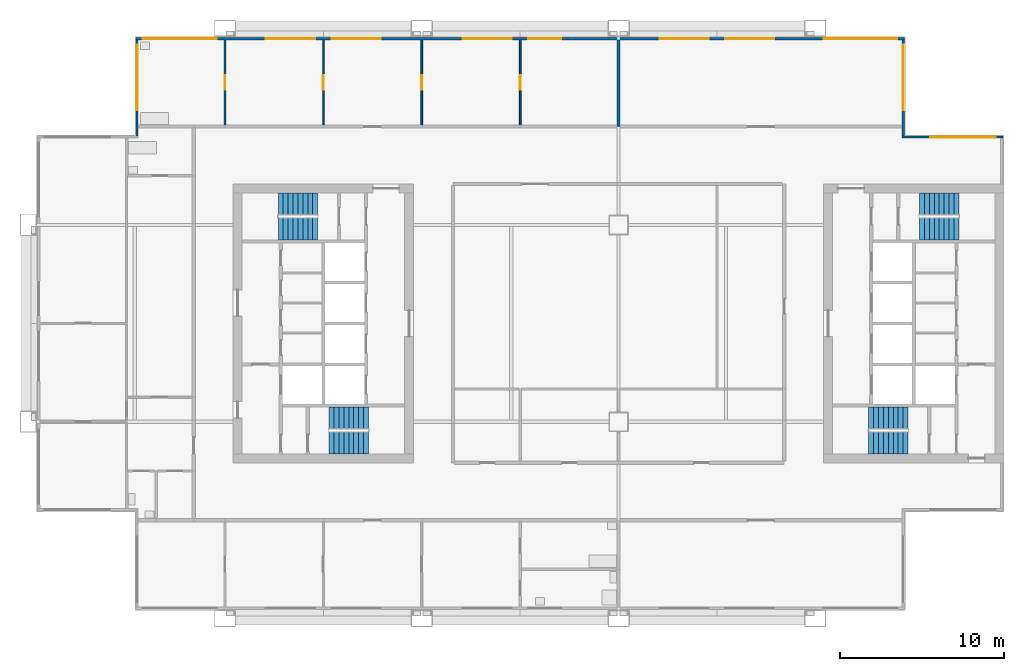
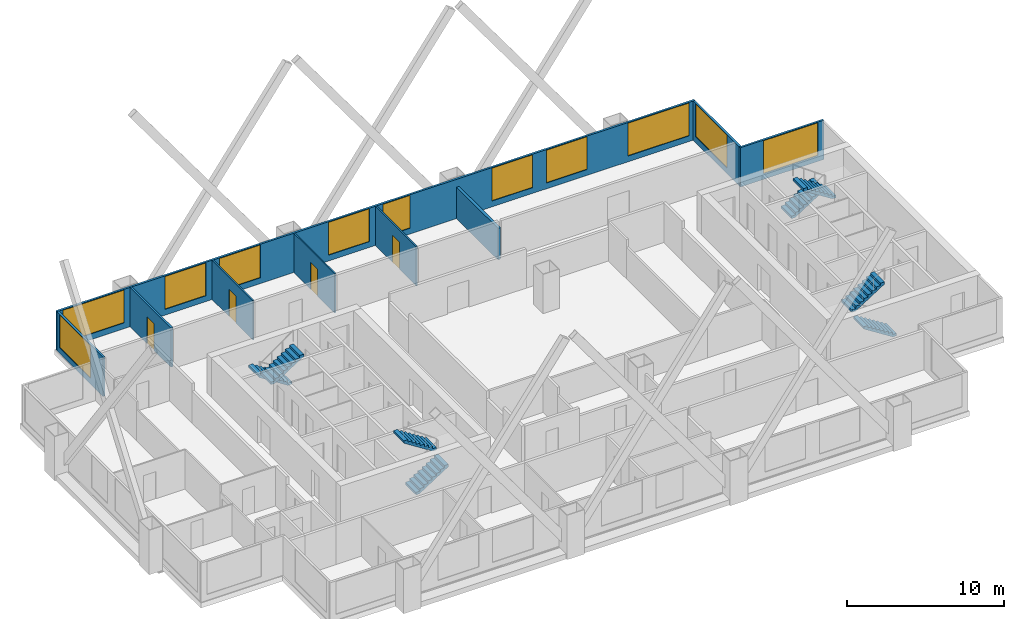
# One storey, part 6 of 8: 11 windows, 9 walls, 8 stair flights, 4 doors, 15 openings, 4 elements without a shape of their own.
"""IFC4 building model written with IfcOpenShell, lengths in metres."""

from ifc_helpers import new_model, si_unit, direction, frame, frame_2d, origin, place, context, subcontext, project, spatial, polyline, rectangle, outline, extrude, material, layer, layer_set, type_object, element, fill, aggregate, save


model = new_model("IFC4")

# Units and contexts
model_context = context("Model", 3, precision=1e-05, world=origin(), true_north=direction((0.0, 1.0)))
body_context = subcontext(model_context, "Body", "Model", "MODEL_VIEW")
ifc_project = project(units=[si_unit("LENGTHUNIT", "METRE"), si_unit("AREAUNIT", "SQUARE_METRE"), si_unit("VOLUMEUNIT", "CUBIC_METRE"), si_unit("PLANEANGLEUNIT", "RADIAN"), si_unit("MASSUNIT", "GRAM", prefix="KILO")], contexts=[model_context])

# Site, building, storey
site_placement = place(None, origin())
site = spatial("IfcSite", under=ifc_project, at=site_placement, CompositionType="ELEMENT")
building_placement = place(site_placement, origin())
building = spatial("IfcBuilding", under=site, at=building_placement, Name="Kitamizu Gate Tower and Museum", CompositionType="ELEMENT")
storey_placement = place(building_placement, frame((0.0, 0.0, 158.25)))
storey = spatial("IfcBuildingStorey", under=building, at=storey_placement, Name="L41", CompositionType="ELEMENT", Elevation=158.25)

# Wall, opening, door
ifc_material_1 = material(Name="Gypsum board on galvanised stud")
ifc_layer_1 = layer(ifc_material_1, 0.10009765625)
ifc_layer_set_1 = layer_set([ifc_layer_1], Name="Gypsum board on galvanised stud")
wall_type_1 = type_object("IfcWallType", Name="Partition 100 NOT RATED", PredefinedType="PARTITIONING", material=ifc_layer_set_1)
wall_1_placement = place(storey_placement, frame((18.0, 42.10009765625, 0.0), z_axis=(0.0, 0.0, 1.0), x_axis=(0.0, 1.0, 0.0)))
wall_1 = element("IfcWall", 1, at=wall_1_placement, inside=storey, type_object=wall_type_1, Name="Partition L41-019", PredefinedType="PARTITIONING", context=body_context, shape_type="SweptSolid", body=[
    extrude(rectangle(XDim=5.179931640625, YDim=0.10009765625, at=frame_2d((2.58984375, 0.0))), origin(), (0.0, 0.0, 1.0), 3.050048828125),
])
opening_1_placement = place(wall_1_placement, frame((2.139892578125, 0.0, 0.0)))
opening_1 = element("IfcOpeningElement", 2, at=opening_1_placement, cuts=wall_1, Name="Opening L41-008", PredefinedType="OPENING", context=body_context, shape_type="SweptSolid", body=[
    extrude(rectangle(XDim=0.89990234375, YDim=2.10009765625, at=frame_2d((0.449951171875, 1.050048828125))), frame((0.0, 0.06005859375, 0.0), z_axis=(0.0, -1.0, 0.0), x_axis=(1.0, 0.0, 0.0)), (0.0, 0.0, 1.0), 0.1201171875),
])
ifc_material_2 = material(Name="Timber door set", Category="wood")
door_type_1 = type_object("IfcDoorType", Name="Room door 900", OperationType="NOTDEFINED", PredefinedType="DOOR", material=ifc_material_2)
door_1_placement = place(opening_1_placement, origin())
door_1 = element("IfcDoor", 3, at=door_1_placement, inside=storey, type_object=door_type_1, Name="Door L41-008", OperationType="SINGLE_SWING_LEFT", OverallHeight=2.10009765625, OverallWidth=0.89990234375, PredefinedType="DOOR", context=body_context, shape_type="SweptSolid", body=[
    extrude(rectangle(XDim=0.89990234375, YDim=2.10009765625, at=frame_2d((0.449951171875, 1.050048828125))), frame((0.0, 0.02490234375, 0.0), z_axis=(0.0, -1.0, 0.0), x_axis=(1.0, 0.0, 0.0)), (0.0, 0.0, 1.0), 0.050048828125),
])
fill(opening_1, door_1)

wall_2_placement = place(storey_placement, frame((24.0, 42.10009765625, 0.0), z_axis=(0.0, 0.0, 1.0), x_axis=(0.0, 1.0, 0.0)))
wall_2 = element("IfcWall", 4, at=wall_2_placement, inside=storey, type_object=wall_type_1, Name="Partition L41-021", PredefinedType="PARTITIONING", context=body_context, shape_type="SweptSolid", body=[
    extrude(rectangle(XDim=5.179931640625, YDim=0.10009765625, at=frame_2d((2.58984375, 0.0))), origin(), (0.0, 0.0, 1.0), 3.050048828125),
])
opening_2_placement = place(wall_2_placement, frame((2.139892578125, 0.0, 0.0)))
opening_2 = element("IfcOpeningElement", 5, at=opening_2_placement, cuts=wall_2, Name="Opening L41-010", PredefinedType="OPENING", context=body_context, shape_type="SweptSolid", body=[
    extrude(rectangle(XDim=0.89990234375, YDim=2.10009765625, at=frame_2d((0.449951171875, 1.050048828125))), frame((0.0, 0.06005859375, 0.0), z_axis=(0.0, -1.0, 0.0), x_axis=(1.0, 0.0, 0.0)), (0.0, 0.0, 1.0), 0.1201171875),
])
door_2_placement = place(opening_2_placement, frame((0.89990234375, 0.0, 0.0), x_axis=(-1.0, 0.0, 0.0)))
door_2 = element("IfcDoor", 6, at=door_2_placement, inside=storey, type_object=door_type_1, Name="Door L41-010", OperationType="SINGLE_SWING_RIGHT", OverallHeight=2.10009765625, OverallWidth=0.89990234375, PredefinedType="DOOR", context=body_context, shape_type="SweptSolid", body=[
    extrude(rectangle(XDim=0.89990234375, YDim=2.10009765625, at=frame_2d((0.449951171875, 1.050048828125))), frame((0.0, 0.02490234375, 0.0), z_axis=(0.0, -1.0, 0.0), x_axis=(1.0, 0.0, 0.0)), (0.0, 0.0, 1.0), 0.050048828125),
])
fill(opening_2, door_2)

wall_3_placement = place(storey_placement, frame((30.0, 42.10009765625, 0.0), z_axis=(0.0, 0.0, 1.0), x_axis=(0.0, 1.0, 0.0)))
wall_3 = element("IfcWall", 7, at=wall_3_placement, inside=storey, type_object=wall_type_1, Name="Partition L41-023", PredefinedType="PARTITIONING", context=body_context, shape_type="SweptSolid", body=[
    extrude(rectangle(XDim=5.179931640625, YDim=0.10009765625, at=frame_2d((2.58984375, 0.0))), origin(), (0.0, 0.0, 1.0), 3.050048828125),
])
opening_3_placement = place(wall_3_placement, frame((2.139892578125, 0.0, 0.0)))
opening_3 = element("IfcOpeningElement", 8, at=opening_3_placement, cuts=wall_3, Name="Opening L41-011", PredefinedType="OPENING", context=body_context, shape_type="SweptSolid", body=[
    extrude(rectangle(XDim=0.89990234375, YDim=2.10009765625, at=frame_2d((0.449951171875, 1.050048828125))), frame((0.0, 0.06005859375, 0.0), z_axis=(0.0, -1.0, 0.0), x_axis=(1.0, 0.0, 0.0)), (0.0, 0.0, 1.0), 0.1201171875),
])
door_3_placement = place(opening_3_placement, origin())
door_3 = element("IfcDoor", 9, at=door_3_placement, inside=storey, type_object=door_type_1, Name="Door L41-011", OperationType="SINGLE_SWING_RIGHT", OverallHeight=2.10009765625, OverallWidth=0.89990234375, PredefinedType="DOOR", context=body_context, shape_type="SweptSolid", body=[
    extrude(rectangle(XDim=0.89990234375, YDim=2.10009765625, at=frame_2d((0.449951171875, 1.050048828125))), frame((0.0, 0.02490234375, 0.0), z_axis=(0.0, -1.0, 0.0), x_axis=(1.0, 0.0, 0.0)), (0.0, 0.0, 1.0), 0.050048828125),
])
fill(opening_3, door_3)

ifc_material_3 = material(Name="Gypsum board on galvanised stud")
ifc_layer_2 = layer(ifc_material_3, 0.14990234375)
ifc_layer_set_2 = layer_set([ifc_layer_2], Name="Gypsum board on galvanised stud")
wall_type_2 = type_object("IfcWallType", Name="Partition 150", PredefinedType="PARTITIONING", material=ifc_layer_set_2)
wall_4_placement = place(storey_placement, frame((12.0, 42.10009765625, 0.0), z_axis=(0.0, 0.0, 1.0), x_axis=(0.0, 1.0, 0.0)))
wall_4 = element("IfcWall", 10, at=wall_4_placement, inside=storey, type_object=wall_type_2, Name="Partition L41-016", PredefinedType="PARTITIONING", context=body_context, shape_type="SweptSolid", body=[
    extrude(rectangle(XDim=5.179931640625, YDim=0.14990234375, at=frame_2d((2.58984375, 0.0))), origin(), (0.0, 0.0, 1.0), 3.050048828125),
])
opening_4_placement = place(wall_4_placement, frame((2.139892578125, 0.0, 0.0)))
opening_4 = element("IfcOpeningElement", 11, at=opening_4_placement, cuts=wall_4, Name="Opening L41-009", PredefinedType="OPENING", context=body_context, shape_type="SweptSolid", body=[
    extrude(rectangle(XDim=0.89990234375, YDim=2.10009765625, at=frame_2d((0.449951171875, 1.050048828125))), frame((0.0, 0.0849609375, 0.0), z_axis=(0.0, -1.0, 0.0), x_axis=(1.0, 0.0, 0.0)), (0.0, 0.0, 1.0), 0.169921875),
])
ifc_material_4 = material(Name="Timber door set", Category="wood")
door_type_2 = type_object("IfcDoorType", Name="Bathroom door 900", OperationType="NOTDEFINED", PredefinedType="DOOR", material=ifc_material_4)
door_4_placement = place(opening_4_placement, origin())
door_4 = element("IfcDoor", 12, at=door_4_placement, inside=storey, type_object=door_type_2, Name="Bathroom door L41-009", OperationType="SINGLE_SWING_RIGHT", OverallHeight=2.10009765625, OverallWidth=0.89990234375, PredefinedType="DOOR", context=body_context, shape_type="SweptSolid", body=[
    extrude(rectangle(XDim=0.89990234375, YDim=2.10009765625, at=frame_2d((0.449951171875, 1.050048828125))), frame((0.0, 0.02490234375, 0.0), z_axis=(0.0, -1.0, 0.0), x_axis=(1.0, 0.0, 0.0)), (0.0, 0.0, 1.0), 0.050048828125),
])
fill(opening_4, door_4)

# Wall
ifc_material_5 = material(Name="Gypsum board on galvanised stud")
ifc_layer_3 = layer(ifc_material_5, 0.199951171875)
ifc_layer_set_3 = layer_set([ifc_layer_3], Name="Gypsum board on galvanised stud")
wall_type_3 = type_object("IfcWallType", Name="Partition 200", PredefinedType="PARTITIONING", material=ifc_layer_set_3)
wall_5_placement = place(storey_placement, frame((36.0, 42.0, 0.0), z_axis=(0.0, 0.0, 1.0), x_axis=(0.0, 1.0, 0.0)))
element("IfcWall", 13, at=wall_5_placement, inside=storey, type_object=wall_type_3, Name="Partition L41-025", PredefinedType="PARTITIONING", context=body_context, shape_type="SweptSolid", body=[
    extrude(rectangle(XDim=5.280029296875, YDim=0.199951171875, at=frame_2d((2.64013671875, 0.0))), origin(), (0.0, 0.0, 1.0), 2.449951171875),
])

# Wall, opening, window
ifc_material_6 = material(Name="Bronze anodised aluminium frame with insulated spandrel and tinted glass", Category="aluminium")
ifc_layer_4 = layer(ifc_material_6, 0.14990234375)
ifc_layer_set_4 = layer_set([ifc_layer_4], Name="Bronze anodised aluminium frame with insulated spandrel and tinted glass")
wall_type_4 = type_object("IfcWallType", Name="WINDOW WALL 150 BRONZE FRAME EI 30", PredefinedType="ELEMENTEDWALL", material=ifc_layer_set_4)
wall_6_placement = place(storey_placement, frame((53.2900390625, 41.364990234375, 0.0), z_axis=(0.0, 0.0, 1.0), x_axis=(1.0, 0.0, 0.0)))
wall_6 = element("IfcWall", 14, at=wall_6_placement, inside=storey, type_object=wall_type_4, Name="Window wall north L41", PredefinedType="ELEMENTEDWALL", context=body_context, shape_type="SweptSolid", body=[
    extrude(rectangle(XDim=6.14990234375, YDim=0.14990234375, at=frame_2d((3.074951171875, 0.0))), origin(), (0.0, 0.0, 1.0), 3.050048828125),
])
opening_5_placement = place(wall_6_placement, frame((1.7099609375, 0.0, 0.449951171875)))
opening_5 = element("IfcOpeningElement", 15, at=opening_5_placement, cuts=wall_6, Name="Opening W16", PredefinedType="OPENING", context=body_context, shape_type="SweptSolid", body=[
    extrude(rectangle(XDim=4.0, YDim=2.550048828125, at=frame_2d((2.0, 1.27490234375))), frame((0.0, 0.0849609375, 0.0), z_axis=(0.0, -1.0, 0.0), x_axis=(1.0, 0.0, 0.0)), (0.0, 0.0, 1.0), 0.169921875),
])
ifc_material_7 = material(Name="Bronze anodised aluminium frame, tinted triple glazing", Category="aluminium")
window_type_1 = type_object("IfcWindowType", Name="WINDOW 4000 x 2550 SILL 450", PartitioningType="SINGLE_PANEL", PredefinedType="WINDOW", material=ifc_material_7)
window_1_placement = place(opening_5_placement, origin())
window_1 = element("IfcWindow", 16, at=window_1_placement, inside=storey, type_object=window_type_1, Name="Window W16 L41", OverallHeight=2.550048828125, OverallWidth=4.0, PartitioningType="SINGLE_PANEL", PredefinedType="WINDOW", context=body_context, shape_type="SweptSolid", body=[
    extrude(rectangle(XDim=4.0, YDim=2.550048828125, at=frame_2d((2.0, 1.27490234375))), frame((0.0, 0.030029296875, 0.0), z_axis=(0.0, -1.0, 0.0), x_axis=(1.0, 0.0, 0.0)), (0.0, 0.0, 1.0), 0.06005859375),
])
fill(opening_5, window_1)

wall_7_placement = place(storey_placement, frame((53.364990234375, 41.43994140625, 0.0), z_axis=(0.0, 0.0, 1.0), x_axis=(0.0, 1.0, 0.0)))
wall_7 = element("IfcWall", 17, at=wall_7_placement, inside=storey, type_object=wall_type_4, Name="Window wall east L41", PredefinedType="ELEMENTEDWALL", context=body_context, shape_type="SweptSolid", body=[
    extrude(rectangle(XDim=5.85009765625, YDim=0.14990234375, at=frame_2d((2.925048828125, 0.0))), origin(), (0.0, 0.0, 1.0), 3.050048828125),
])
opening_6_placement = place(wall_7_placement, frame((1.56005859375, 0.0, 0.449951171875)))
opening_6 = element("IfcOpeningElement", 18, at=opening_6_placement, cuts=wall_7, Name="Opening W16", PredefinedType="OPENING", context=body_context, shape_type="SweptSolid", body=[
    extrude(rectangle(XDim=4.0, YDim=2.550048828125, at=frame_2d((2.0, 1.27490234375))), frame((0.0, 0.0849609375, 0.0), z_axis=(0.0, -1.0, 0.0), x_axis=(1.0, 0.0, 0.0)), (0.0, 0.0, 1.0), 0.169921875),
])
window_2_placement = place(opening_6_placement, origin())
window_2 = element("IfcWindow", 19, at=window_2_placement, inside=storey, type_object=window_type_1, Name="Window W16 L41", OverallHeight=2.550048828125, OverallWidth=4.0, PartitioningType="SINGLE_PANEL", PredefinedType="WINDOW", context=body_context, shape_type="SweptSolid", body=[
    extrude(rectangle(XDim=4.0, YDim=2.550048828125, at=frame_2d((2.0, 1.27490234375))), frame((0.0, 0.030029296875, 0.0), z_axis=(0.0, -1.0, 0.0), x_axis=(1.0, 0.0, 0.0)), (0.0, 0.0, 1.0), 0.06005859375),
])
fill(opening_6, window_2)

# Wall, openings, windows
wall_8_placement = place(storey_placement, frame((6.56005859375, 47.364990234375, 0.0), z_axis=(0.0, 0.0, 1.0), x_axis=(1.0, 0.0, 0.0)))
wall_8 = element("IfcWall", 20, at=wall_8_placement, inside=storey, type_object=wall_type_4, Name="Window wall north L41", PredefinedType="ELEMENTEDWALL", context=body_context, shape_type="SweptSolid", body=[
    extrude(rectangle(XDim=46.8798828125, YDim=0.14990234375, at=frame_2d((23.43994140625, 0.0))), origin(), (0.0, 0.0, 1.0), 3.050048828125),
])
opening_7_placement = place(wall_8_placement, frame((0.43994140625, 0.0, 0.449951171875)))
opening_7 = element("IfcOpeningElement", 21, at=opening_7_placement, cuts=wall_8, Name="Opening W15", PredefinedType="OPENING", context=body_context, shape_type="SweptSolid", body=[
    extrude(rectangle(XDim=4.5, YDim=2.550048828125, at=frame_2d((2.25, 1.27490234375))), frame((0.0, 0.0849609375, 0.0), z_axis=(0.0, -1.0, 0.0), x_axis=(1.0, 0.0, 0.0)), (0.0, 0.0, 1.0), 0.169921875),
])
opening_8_placement = place(wall_8_placement, frame((7.93994140625, 0.0, 0.449951171875)))
opening_8 = element("IfcOpeningElement", 22, at=opening_8_placement, cuts=wall_8, Name="Opening W33", PredefinedType="OPENING", context=body_context, shape_type="SweptSolid", body=[
    extrude(rectangle(XDim=3.0, YDim=2.550048828125, at=frame_2d((1.5, 1.27490234375))), frame((0.0, 0.0849609375, 0.0), z_axis=(0.0, -1.0, 0.0), x_axis=(1.0, 0.0, 0.0)), (0.0, 0.0, 1.0), 0.169921875),
])
opening_9_placement = place(wall_8_placement, frame((11.93994140625, 0.0, 0.449951171875)))
opening_9 = element("IfcOpeningElement", 23, at=opening_9_placement, cuts=wall_8, Name="Opening W33", PredefinedType="OPENING", context=body_context, shape_type="SweptSolid", body=[
    extrude(rectangle(XDim=3.0, YDim=2.550048828125, at=frame_2d((1.5, 1.27490234375))), frame((0.0, 0.0849609375, 0.0), z_axis=(0.0, -1.0, 0.0), x_axis=(1.0, 0.0, 0.0)), (0.0, 0.0, 1.0), 0.169921875),
])
opening_10_placement = place(wall_8_placement, frame((19.93994140625, 0.0, 0.449951171875)))
opening_10 = element("IfcOpeningElement", 24, at=opening_10_placement, cuts=wall_8, Name="Opening W33", PredefinedType="OPENING", context=body_context, shape_type="SweptSolid", body=[
    extrude(rectangle(XDim=3.0, YDim=2.550048828125, at=frame_2d((1.5, 1.27490234375))), frame((0.0, 0.0849609375, 0.0), z_axis=(0.0, -1.0, 0.0), x_axis=(1.0, 0.0, 0.0)), (0.0, 0.0, 1.0), 0.169921875),
])
opening_11_placement = place(wall_8_placement, frame((23.93994140625, 0.0, 0.449951171875)))
opening_11 = element("IfcOpeningElement", 25, at=opening_11_placement, cuts=wall_8, Name="Opening W2", PredefinedType="OPENING", context=body_context, shape_type="SweptSolid", body=[
    extrude(rectangle(XDim=2.0, YDim=2.550048828125, at=frame_2d((1.0, 1.27490234375))), frame((0.0, 0.0849609375, 0.0), z_axis=(0.0, -1.0, 0.0), x_axis=(1.0, 0.0, 0.0)), (0.0, 0.0, 1.0), 0.169921875),
])
opening_12_placement = place(wall_8_placement, frame((31.93994140625, 0.0, 0.449951171875)))
opening_12 = element("IfcOpeningElement", 26, at=opening_12_placement, cuts=wall_8, Name="Opening W33", PredefinedType="OPENING", context=body_context, shape_type="SweptSolid", body=[
    extrude(rectangle(XDim=3.0, YDim=2.550048828125, at=frame_2d((1.5, 1.27490234375))), frame((0.0, 0.0849609375, 0.0), z_axis=(0.0, -1.0, 0.0), x_axis=(1.0, 0.0, 0.0)), (0.0, 0.0, 1.0), 0.169921875),
])
opening_13_placement = place(wall_8_placement, frame((35.93994140625, 0.0, 0.449951171875)))
opening_13 = element("IfcOpeningElement", 27, at=opening_13_placement, cuts=wall_8, Name="Opening W33", PredefinedType="OPENING", context=body_context, shape_type="SweptSolid", body=[
    extrude(rectangle(XDim=3.0, YDim=2.550048828125, at=frame_2d((1.5, 1.27490234375))), frame((0.0, 0.0849609375, 0.0), z_axis=(0.0, -1.0, 0.0), x_axis=(1.0, 0.0, 0.0)), (0.0, 0.0, 1.0), 0.169921875),
])
opening_14_placement = place(wall_8_placement, frame((41.93994140625, 0.0, 0.449951171875)))
opening_14 = element("IfcOpeningElement", 28, at=opening_14_placement, cuts=wall_8, Name="Opening W15", PredefinedType="OPENING", context=body_context, shape_type="SweptSolid", body=[
    extrude(rectangle(XDim=4.5, YDim=2.550048828125, at=frame_2d((2.25, 1.27490234375))), frame((0.0, 0.0849609375, 0.0), z_axis=(0.0, -1.0, 0.0), x_axis=(1.0, 0.0, 0.0)), (0.0, 0.0, 1.0), 0.169921875),
])
ifc_material_8 = material(Name="Bronze anodised aluminium frame, tinted triple glazing", Category="aluminium")
window_type_2 = type_object("IfcWindowType", Name="WINDOW 2000 x 2550 SILL 450", PartitioningType="SINGLE_PANEL", PredefinedType="WINDOW", material=ifc_material_8)
window_3_placement = place(opening_11_placement, origin())
window_3 = element("IfcWindow", 29, at=window_3_placement, inside=storey, type_object=window_type_2, Name="Window W2 L41", OverallHeight=2.550048828125, OverallWidth=2.0, PartitioningType="SINGLE_PANEL", PredefinedType="WINDOW", context=body_context, shape_type="SweptSolid", body=[
    extrude(rectangle(XDim=2.0, YDim=2.550048828125, at=frame_2d((1.0, 1.27490234375))), frame((0.0, 0.030029296875, 0.0), z_axis=(0.0, -1.0, 0.0), x_axis=(1.0, 0.0, 0.0)), (0.0, 0.0, 1.0), 0.06005859375),
])
fill(opening_11, window_3)
ifc_material_9 = material(Name="Bronze anodised aluminium frame, tinted triple glazing", Category="aluminium")
window_type_3 = type_object("IfcWindowType", Name="WINDOW 3000 x 2550 SILL 450", PartitioningType="SINGLE_PANEL", PredefinedType="WINDOW", material=ifc_material_9)
window_4_placement = place(opening_8_placement, origin())
window_4 = element("IfcWindow", 30, at=window_4_placement, inside=storey, type_object=window_type_3, Name="Window W33 L41", OverallHeight=2.550048828125, OverallWidth=3.0, PartitioningType="SINGLE_PANEL", PredefinedType="WINDOW", context=body_context, shape_type="SweptSolid", body=[
    extrude(rectangle(XDim=3.0, YDim=2.550048828125, at=frame_2d((1.5, 1.27490234375))), frame((0.0, 0.030029296875, 0.0), z_axis=(0.0, -1.0, 0.0), x_axis=(1.0, 0.0, 0.0)), (0.0, 0.0, 1.0), 0.06005859375),
])
fill(opening_8, window_4)
window_5_placement = place(opening_9_placement, origin())
window_5 = element("IfcWindow", 31, at=window_5_placement, inside=storey, type_object=window_type_3, Name="Window W33 L41", OverallHeight=2.550048828125, OverallWidth=3.0, PartitioningType="SINGLE_PANEL", PredefinedType="WINDOW", context=body_context, shape_type="SweptSolid", body=[
    extrude(rectangle(XDim=3.0, YDim=2.550048828125, at=frame_2d((1.5, 1.27490234375))), frame((0.0, 0.030029296875, 0.0), z_axis=(0.0, -1.0, 0.0), x_axis=(1.0, 0.0, 0.0)), (0.0, 0.0, 1.0), 0.06005859375),
])
fill(opening_9, window_5)
window_6_placement = place(opening_10_placement, origin())
window_6 = element("IfcWindow", 32, at=window_6_placement, inside=storey, type_object=window_type_3, Name="Window W33 L41", OverallHeight=2.550048828125, OverallWidth=3.0, PartitioningType="SINGLE_PANEL", PredefinedType="WINDOW", context=body_context, shape_type="SweptSolid", body=[
    extrude(rectangle(XDim=3.0, YDim=2.550048828125, at=frame_2d((1.5, 1.27490234375))), frame((0.0, 0.030029296875, 0.0), z_axis=(0.0, -1.0, 0.0), x_axis=(1.0, 0.0, 0.0)), (0.0, 0.0, 1.0), 0.06005859375),
])
fill(opening_10, window_6)
window_7_placement = place(opening_12_placement, origin())
window_7 = element("IfcWindow", 33, at=window_7_placement, inside=storey, type_object=window_type_3, Name="Window W33 L41", OverallHeight=2.550048828125, OverallWidth=3.0, PartitioningType="SINGLE_PANEL", PredefinedType="WINDOW", context=body_context, shape_type="SweptSolid", body=[
    extrude(rectangle(XDim=3.0, YDim=2.550048828125, at=frame_2d((1.5, 1.27490234375))), frame((0.0, 0.030029296875, 0.0), z_axis=(0.0, -1.0, 0.0), x_axis=(1.0, 0.0, 0.0)), (0.0, 0.0, 1.0), 0.06005859375),
])
fill(opening_12, window_7)
window_8_placement = place(opening_13_placement, origin())
window_8 = element("IfcWindow", 34, at=window_8_placement, inside=storey, type_object=window_type_3, Name="Window W33 L41", OverallHeight=2.550048828125, OverallWidth=3.0, PartitioningType="SINGLE_PANEL", PredefinedType="WINDOW", context=body_context, shape_type="SweptSolid", body=[
    extrude(rectangle(XDim=3.0, YDim=2.550048828125, at=frame_2d((1.5, 1.27490234375))), frame((0.0, 0.030029296875, 0.0), z_axis=(0.0, -1.0, 0.0), x_axis=(1.0, 0.0, 0.0)), (0.0, 0.0, 1.0), 0.06005859375),
])
fill(opening_13, window_8)
ifc_material_10 = material(Name="Bronze anodised aluminium frame, tinted triple glazing", Category="aluminium")
window_type_4 = type_object("IfcWindowType", Name="WINDOW 4500 x 2550 SILL 450", PartitioningType="SINGLE_PANEL", PredefinedType="WINDOW", material=ifc_material_10)
window_9_placement = place(opening_7_placement, origin())
window_9 = element("IfcWindow", 35, at=window_9_placement, inside=storey, type_object=window_type_4, Name="Window W15 L41", OverallHeight=2.550048828125, OverallWidth=4.5, PartitioningType="SINGLE_PANEL", PredefinedType="WINDOW", context=body_context, shape_type="SweptSolid", body=[
    extrude(rectangle(XDim=4.5, YDim=2.550048828125, at=frame_2d((2.25, 1.27490234375))), frame((0.0, 0.030029296875, 0.0), z_axis=(0.0, -1.0, 0.0), x_axis=(1.0, 0.0, 0.0)), (0.0, 0.0, 1.0), 0.06005859375),
])
fill(opening_7, window_9)
window_10_placement = place(opening_14_placement, origin())
window_10 = element("IfcWindow", 36, at=window_10_placement, inside=storey, type_object=window_type_4, Name="Window W15 L41", OverallHeight=2.550048828125, OverallWidth=4.5, PartitioningType="SINGLE_PANEL", PredefinedType="WINDOW", context=body_context, shape_type="SweptSolid", body=[
    extrude(rectangle(XDim=4.5, YDim=2.550048828125, at=frame_2d((2.25, 1.27490234375))), frame((0.0, 0.030029296875, 0.0), z_axis=(0.0, -1.0, 0.0), x_axis=(1.0, 0.0, 0.0)), (0.0, 0.0, 1.0), 0.06005859375),
])
fill(opening_14, window_10)

# Wall, opening, window
wall_9_placement = place(storey_placement, frame((6.635009765625, 41.43994140625, 0.0), z_axis=(0.0, 0.0, 1.0), x_axis=(0.0, 1.0, 0.0)))
wall_9 = element("IfcWall", 37, at=wall_9_placement, inside=storey, type_object=wall_type_4, Name="Window wall west L41", PredefinedType="ELEMENTEDWALL", context=body_context, shape_type="SweptSolid", body=[
    extrude(rectangle(XDim=5.85009765625, YDim=0.14990234375, at=frame_2d((2.925048828125, 0.0))), origin(), (0.0, 0.0, 1.0), 3.050048828125),
])
opening_15_placement = place(wall_9_placement, frame((1.56005859375, 0.0, 0.449951171875)))
opening_15 = element("IfcOpeningElement", 38, at=opening_15_placement, cuts=wall_9, Name="Opening W16", PredefinedType="OPENING", context=body_context, shape_type="SweptSolid", body=[
    extrude(rectangle(XDim=4.0, YDim=2.550048828125, at=frame_2d((2.0, 1.27490234375))), frame((0.0, 0.0849609375, 0.0), z_axis=(0.0, -1.0, 0.0), x_axis=(1.0, 0.0, 0.0)), (0.0, 0.0, 1.0), 0.169921875),
])
window_11_placement = place(opening_15_placement, origin())
window_11 = element("IfcWindow", 39, at=window_11_placement, inside=storey, type_object=window_type_1, Name="Window W16 L41", OverallHeight=2.550048828125, OverallWidth=4.0, PartitioningType="SINGLE_PANEL", PredefinedType="WINDOW", context=body_context, shape_type="SweptSolid", body=[
    extrude(rectangle(XDim=4.0, YDim=2.550048828125, at=frame_2d((2.0, 1.27490234375))), frame((0.0, 0.030029296875, 0.0), z_axis=(0.0, -1.0, 0.0), x_axis=(1.0, 0.0, 0.0)), (0.0, 0.0, 1.0), 0.06005859375),
])
fill(opening_15, window_11)

# Stair, stair flights
ifc_material_11 = material(Name="Concrete Fc42", Category="concrete")
stair_type = type_object("IfcStairType", Name="Exit stair 1325 wide 192 rise 300 going", PredefinedType="HALF_TURN_STAIR", material=ifc_material_11)
stair_1_placement = place(storey_placement, origin())
stair_1 = element("IfcStair", 40, at=stair_1_placement, inside=storey, type_object=stair_type, Name="Exit stair ST1", PredefinedType="HALF_TURN_STAIR")
ifc_material_12 = material(Name="Concrete Fc42", Category="concrete")
stair_flight_type = type_object("IfcStairFlightType", Name="Stair flight 1325 wide 192 rise 300 going", PredefinedType="STRAIGHT", material=ifc_material_12)
stair_flight_1_placement = place(storey_placement, frame((18.35009765625, 22.71240234375, 0.0), z_axis=(0.0, 0.0, 1.0), x_axis=(1.0, 0.0, 0.0)))
stair_flight_1 = element("IfcStairFlight", 41, at=stair_flight_1_placement, type_object=stair_flight_type, Name="ST1 flight 1", NumberOfRisers=9, NumberOfTreads=8, PredefinedType="STRAIGHT", RiserHeight=0.191666667, TreadLength=0.3, context=body_context, shape_type="SweptSolid", body=[
    extrude(outline(polyline([(0.0, 0.0), (0.0, 0.191650390625), (0.300048828125, 0.191650390625), (0.300048828125, 0.38330078125), (0.60009765625, 0.38330078125), (0.60009765625, 0.574951171875), (0.89990234375, 0.574951171875), (0.89990234375, 0.7666015625), (1.199951171875, 0.7666015625), (1.199951171875, 0.958251953125), (1.5, 0.958251953125), (1.5, 1.14990234375), (1.800048828125, 1.14990234375), (1.800048828125, 1.341552734375), (2.10009765625, 1.341552734375), (2.10009765625, 1.533447265625), (2.39990234375, 1.533447265625), (2.39990234375, 1.72509765625), (2.39990234375, 1.35546875), (0.2783203125, 0.0), (0.0, 0.0)])), frame((0.0, 0.66259765625, 0.0), z_axis=(0.0, -1.0, 0.0), x_axis=(1.0, 0.0, 0.0)), (0.0, 0.0, 1.0), 1.324951171875),
])
stair_flight_2_placement = place(storey_placement, frame((20.75, 24.237548828125, 1.72509765625), z_axis=(0.0, 0.0, 1.0), x_axis=(-1.0, 0.0, 0.0)))
stair_flight_2 = element("IfcStairFlight", 42, at=stair_flight_2_placement, type_object=stair_flight_type, Name="ST1 flight 2", NumberOfRisers=9, NumberOfTreads=8, PredefinedType="STRAIGHT", RiserHeight=0.191666667, TreadLength=0.3, context=body_context, shape_type="SweptSolid", body=[
    extrude(outline(polyline([(0.0, 0.0), (0.0, 0.191650390625), (0.300048828125, 0.191650390625), (0.300048828125, 0.38330078125), (0.60009765625, 0.38330078125), (0.60009765625, 0.574951171875), (0.89990234375, 0.574951171875), (0.89990234375, 0.7666015625), (1.199951171875, 0.7666015625), (1.199951171875, 0.958251953125), (1.5, 0.958251953125), (1.5, 1.14990234375), (1.800048828125, 1.14990234375), (1.800048828125, 1.341552734375), (2.10009765625, 1.341552734375), (2.10009765625, 1.533447265625), (2.39990234375, 1.533447265625), (2.39990234375, 1.72509765625), (2.39990234375, 1.35546875), (0.2783203125, 0.0), (0.0, 0.0)])), frame((0.0, 0.66259765625, 0.0), z_axis=(0.0, -1.0, 0.0), x_axis=(1.0, 0.0, 0.0)), (0.0, 0.0, 1.0), 1.324951171875),
])
aggregate(stair_1, [stair_flight_1, stair_flight_2])

stair_2_placement = place(storey_placement, origin())
stair_2 = element("IfcStair", 43, at=stair_2_placement, inside=storey, type_object=stair_type, Name="Exit stair ST2", PredefinedType="HALF_TURN_STAIR")
stair_flight_3_placement = place(storey_placement, frame((17.64990234375, 37.28759765625, 0.0), z_axis=(0.0, 0.0, 1.0), x_axis=(-1.0, 0.0, 0.0)))
stair_flight_3 = element("IfcStairFlight", 44, at=stair_flight_3_placement, type_object=stair_flight_type, Name="ST2 flight 1", NumberOfRisers=9, NumberOfTreads=8, PredefinedType="STRAIGHT", RiserHeight=0.191666667, TreadLength=0.3, context=body_context, shape_type="SweptSolid", body=[
    extrude(outline(polyline([(0.0, 0.0), (0.0, 0.191650390625), (0.300048828125, 0.191650390625), (0.300048828125, 0.38330078125), (0.60009765625, 0.38330078125), (0.60009765625, 0.574951171875), (0.89990234375, 0.574951171875), (0.89990234375, 0.7666015625), (1.199951171875, 0.7666015625), (1.199951171875, 0.958251953125), (1.5, 0.958251953125), (1.5, 1.14990234375), (1.800048828125, 1.14990234375), (1.800048828125, 1.341552734375), (2.10009765625, 1.341552734375), (2.10009765625, 1.533447265625), (2.39990234375, 1.533447265625), (2.39990234375, 1.72509765625), (2.39990234375, 1.35546875), (0.2783203125, 0.0), (0.0, 0.0)])), frame((0.0, 0.66259765625, 0.0), z_axis=(0.0, -1.0, 0.0), x_axis=(1.0, 0.0, 0.0)), (0.0, 0.0, 1.0), 1.324951171875),
])
stair_flight_4_placement = place(storey_placement, frame((15.25, 35.762451171875, 1.72509765625), z_axis=(0.0, 0.0, 1.0), x_axis=(1.0, 0.0, 0.0)))
stair_flight_4 = element("IfcStairFlight", 45, at=stair_flight_4_placement, type_object=stair_flight_type, Name="ST2 flight 2", NumberOfRisers=9, NumberOfTreads=8, PredefinedType="STRAIGHT", RiserHeight=0.191666667, TreadLength=0.3, context=body_context, shape_type="SweptSolid", body=[
    extrude(outline(polyline([(0.0, 0.0), (0.0, 0.191650390625), (0.300048828125, 0.191650390625), (0.300048828125, 0.38330078125), (0.60009765625, 0.38330078125), (0.60009765625, 0.574951171875), (0.89990234375, 0.574951171875), (0.89990234375, 0.7666015625), (1.199951171875, 0.7666015625), (1.199951171875, 0.958251953125), (1.5, 0.958251953125), (1.5, 1.14990234375), (1.800048828125, 1.14990234375), (1.800048828125, 1.341552734375), (2.10009765625, 1.341552734375), (2.10009765625, 1.533447265625), (2.39990234375, 1.533447265625), (2.39990234375, 1.72509765625), (2.39990234375, 1.35546875), (0.2783203125, 0.0), (0.0, 0.0)])), frame((0.0, 0.66259765625, 0.0), z_axis=(0.0, -1.0, 0.0), x_axis=(1.0, 0.0, 0.0)), (0.0, 0.0, 1.0), 1.324951171875),
])
aggregate(stair_2, [stair_flight_3, stair_flight_4])

stair_3_placement = place(storey_placement, origin())
stair_3 = element("IfcStair", 46, at=stair_3_placement, inside=storey, type_object=stair_type, Name="Exit stair ST3", PredefinedType="HALF_TURN_STAIR")
stair_flight_5_placement = place(storey_placement, frame((53.64990234375, 22.71240234375, 0.0), z_axis=(0.0, 0.0, 1.0), x_axis=(-1.0, 0.0, 0.0)))
stair_flight_5 = element("IfcStairFlight", 47, at=stair_flight_5_placement, type_object=stair_flight_type, Name="ST3 flight 1", NumberOfRisers=9, NumberOfTreads=8, PredefinedType="STRAIGHT", RiserHeight=0.191666667, TreadLength=0.3, context=body_context, shape_type="SweptSolid", body=[
    extrude(outline(polyline([(0.0, 0.0), (0.0, 0.191650390625), (0.300048828125, 0.191650390625), (0.300048828125, 0.38330078125), (0.60009765625, 0.38330078125), (0.60009765625, 0.574951171875), (0.89990234375, 0.574951171875), (0.89990234375, 0.7666015625), (1.199951171875, 0.7666015625), (1.199951171875, 0.958251953125), (1.5, 0.958251953125), (1.5, 1.14990234375), (1.800048828125, 1.14990234375), (1.800048828125, 1.341552734375), (2.10009765625, 1.341552734375), (2.10009765625, 1.533447265625), (2.39990234375, 1.533447265625), (2.39990234375, 1.72509765625), (2.39990234375, 1.35546875), (0.2783203125, 0.0), (0.0, 0.0)])), frame((0.0, 0.66259765625, 0.0), z_axis=(0.0, -1.0, 0.0), x_axis=(1.0, 0.0, 0.0)), (0.0, 0.0, 1.0), 1.324951171875),
])
stair_flight_6_placement = place(storey_placement, frame((51.25, 24.237548828125, 1.72509765625), z_axis=(0.0, 0.0, 1.0), x_axis=(1.0, 0.0, 0.0)))
stair_flight_6 = element("IfcStairFlight", 48, at=stair_flight_6_placement, type_object=stair_flight_type, Name="ST3 flight 2", NumberOfRisers=9, NumberOfTreads=8, PredefinedType="STRAIGHT", RiserHeight=0.191666667, TreadLength=0.3, context=body_context, shape_type="SweptSolid", body=[
    extrude(outline(polyline([(0.0, 0.0), (0.0, 0.191650390625), (0.300048828125, 0.191650390625), (0.300048828125, 0.38330078125), (0.60009765625, 0.38330078125), (0.60009765625, 0.574951171875), (0.89990234375, 0.574951171875), (0.89990234375, 0.7666015625), (1.199951171875, 0.7666015625), (1.199951171875, 0.958251953125), (1.5, 0.958251953125), (1.5, 1.14990234375), (1.800048828125, 1.14990234375), (1.800048828125, 1.341552734375), (2.10009765625, 1.341552734375), (2.10009765625, 1.533447265625), (2.39990234375, 1.533447265625), (2.39990234375, 1.72509765625), (2.39990234375, 1.35546875), (0.2783203125, 0.0), (0.0, 0.0)])), frame((0.0, 0.66259765625, 0.0), z_axis=(0.0, -1.0, 0.0), x_axis=(1.0, 0.0, 0.0)), (0.0, 0.0, 1.0), 1.324951171875),
])
aggregate(stair_3, [stair_flight_5, stair_flight_6])

stair_4_placement = place(storey_placement, origin())
stair_4 = element("IfcStair", 49, at=stair_4_placement, inside=storey, type_object=stair_type, Name="Exit stair ST4", PredefinedType="HALF_TURN_STAIR")
stair_flight_7_placement = place(storey_placement, frame((54.35009765625, 37.28759765625, 0.0), z_axis=(0.0, 0.0, 1.0), x_axis=(1.0, 0.0, 0.0)))
stair_flight_7 = element("IfcStairFlight", 50, at=stair_flight_7_placement, type_object=stair_flight_type, Name="ST4 flight 1", NumberOfRisers=9, NumberOfTreads=8, PredefinedType="STRAIGHT", RiserHeight=0.191666667, TreadLength=0.3, context=body_context, shape_type="SweptSolid", body=[
    extrude(outline(polyline([(0.0, 0.0), (0.0, 0.191650390625), (0.300048828125, 0.191650390625), (0.300048828125, 0.38330078125), (0.60009765625, 0.38330078125), (0.60009765625, 0.574951171875), (0.89990234375, 0.574951171875), (0.89990234375, 0.7666015625), (1.199951171875, 0.7666015625), (1.199951171875, 0.958251953125), (1.5, 0.958251953125), (1.5, 1.14990234375), (1.800048828125, 1.14990234375), (1.800048828125, 1.341552734375), (2.10009765625, 1.341552734375), (2.10009765625, 1.533447265625), (2.39990234375, 1.533447265625), (2.39990234375, 1.72509765625), (2.39990234375, 1.35546875), (0.2783203125, 0.0), (0.0, 0.0)])), frame((0.0, 0.66259765625, 0.0), z_axis=(0.0, -1.0, 0.0), x_axis=(1.0, 0.0, 0.0)), (0.0, 0.0, 1.0), 1.324951171875),
])
stair_flight_8_placement = place(storey_placement, frame((56.75, 35.762451171875, 1.72509765625), z_axis=(0.0, 0.0, 1.0), x_axis=(-1.0, 0.0, 0.0)))
stair_flight_8 = element("IfcStairFlight", 51, at=stair_flight_8_placement, type_object=stair_flight_type, Name="ST4 flight 2", NumberOfRisers=9, NumberOfTreads=8, PredefinedType="STRAIGHT", RiserHeight=0.191666667, TreadLength=0.3, context=body_context, shape_type="SweptSolid", body=[
    extrude(outline(polyline([(0.0, 0.0), (0.0, 0.191650390625), (0.300048828125, 0.191650390625), (0.300048828125, 0.38330078125), (0.60009765625, 0.38330078125), (0.60009765625, 0.574951171875), (0.89990234375, 0.574951171875), (0.89990234375, 0.7666015625), (1.199951171875, 0.7666015625), (1.199951171875, 0.958251953125), (1.5, 0.958251953125), (1.5, 1.14990234375), (1.800048828125, 1.14990234375), (1.800048828125, 1.341552734375), (2.10009765625, 1.341552734375), (2.10009765625, 1.533447265625), (2.39990234375, 1.533447265625), (2.39990234375, 1.72509765625), (2.39990234375, 1.35546875), (0.2783203125, 0.0), (0.0, 0.0)])), frame((0.0, 0.66259765625, 0.0), z_axis=(0.0, -1.0, 0.0), x_axis=(1.0, 0.0, 0.0)), (0.0, 0.0, 1.0), 1.324951171875),
])
aggregate(stair_4, [stair_flight_7, stair_flight_8])

save(model, "model.ifc")
